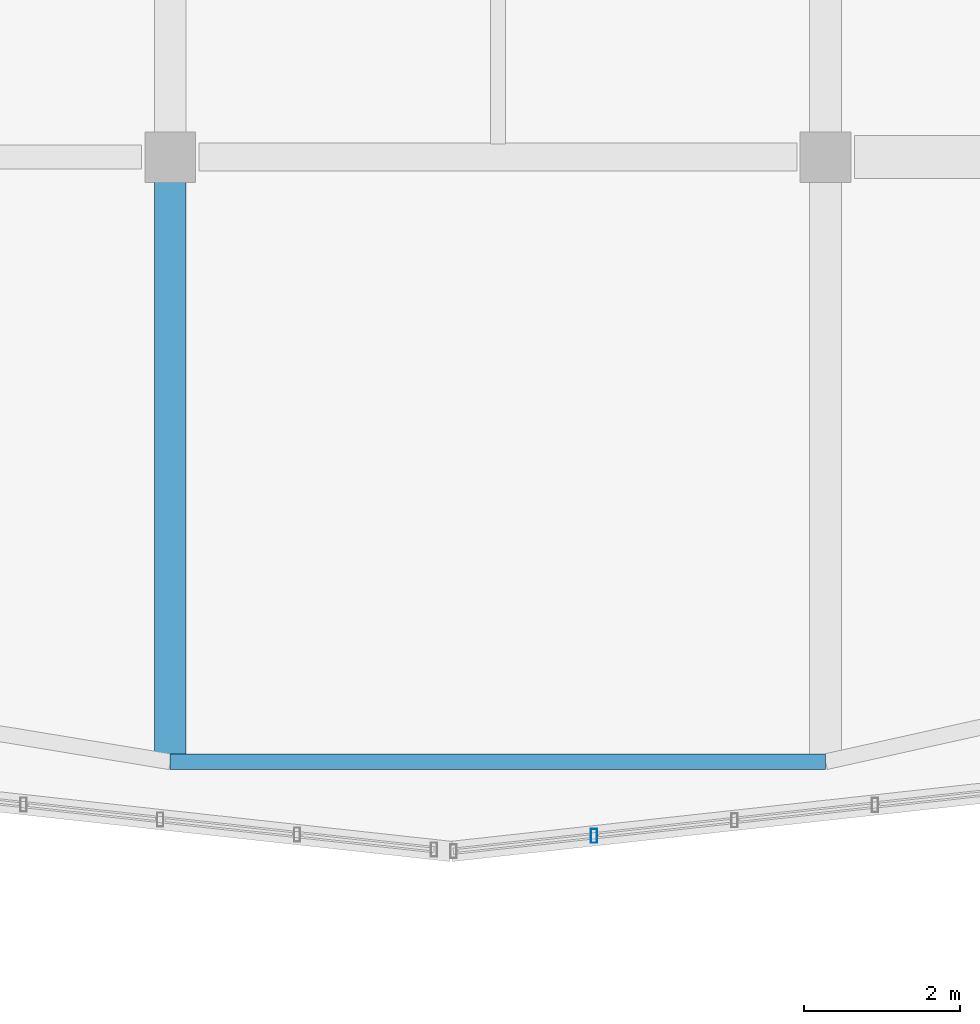
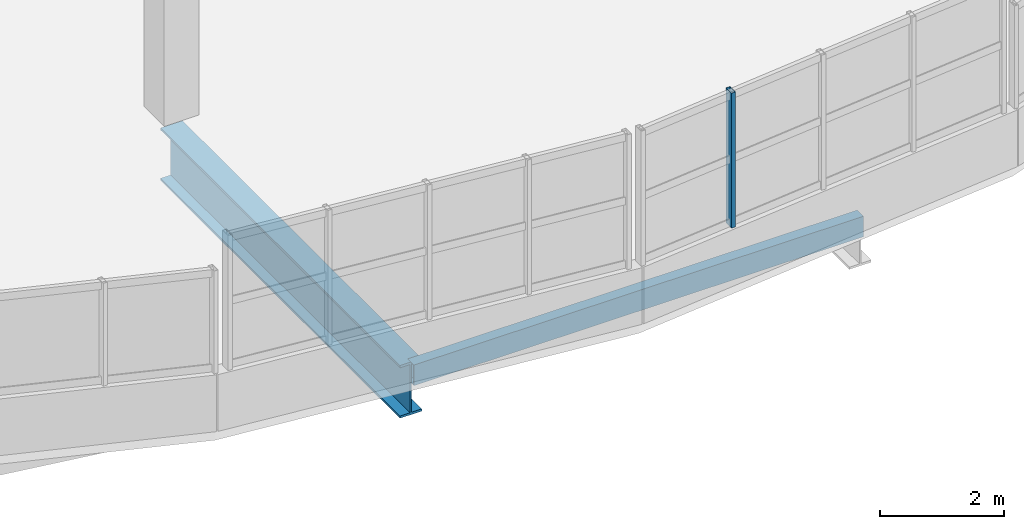
# One storey, part 5 of 50: 2 beams, 1 member, 1 element without a shape of its own.
"""IFC4 building model written with IfcOpenShell, lengths in metres."""

from ifc_helpers import new_model, si_unit, direction, frame, origin, origin_2d, place, context, subcontext, project, spatial, hollow_rectangle, i_section, extrude, material, material_profile, profile_set, type_object, element, aggregate, save


model = new_model("IFC4")

# Units and contexts
model_context = context("Model", 3, precision=1e-05, world=origin(), true_north=direction((0.0, 1.0)))
body_context = subcontext(model_context, "Body", "Model", "MODEL_VIEW")
ifc_project = project(units=[si_unit("LENGTHUNIT", "METRE"), si_unit("AREAUNIT", "SQUARE_METRE"), si_unit("VOLUMEUNIT", "CUBIC_METRE"), si_unit("PLANEANGLEUNIT", "RADIAN"), si_unit("MASSUNIT", "GRAM", prefix="KILO")], contexts=[model_context])

# Site, building, storey
site_placement = place(None, origin())
site = spatial("IfcSite", under=ifc_project, at=site_placement, CompositionType="ELEMENT")
building_placement = place(site_placement, origin())
building = spatial("IfcBuilding", under=site, at=building_placement, Name="Solvento Point Concert Hall", CompositionType="ELEMENT")
storey_placement = place(building_placement, frame((0.0, 0.0, 15.0)))
storey = spatial("IfcBuildingStorey", under=building, at=storey_placement, Name="L03", CompositionType="ELEMENT", Elevation=15.0)

# Beam
ifc_material_1 = material(Name="Structural Steel ASTM A992 Grade 50", Category="steel")
ifc_material_profile_1 = material_profile(ifc_material_1, i_section(OverallWidth=0.408935546875, OverallDepth=1.041015625, WebThickness=0.031005859375, FlangeThickness=0.04443359375, at=origin_2d()), Name="W40X397")
ifc_profile_set_1 = profile_set([ifc_material_profile_1], Name="Structural Steel ASTM A992 Grade 50")
beam_type_1 = type_object("IfcBeamType", Name="CantileverGirder_W40X397", PredefinedType="USERDEFINED", material=ifc_profile_set_1)
beam_1_placement = place(storey_placement, frame((57.60009765625, 17.0, -0.785400390625), z_axis=(0.0, -1.0, 0.0), x_axis=(1.0, 0.0, 0.0)))
element("IfcBeam", 1, at=beam_1_placement, inside=storey, type_object=beam_type_1, Name="Radial cantilever girder CG-01 L03", ObjectType="GIRDER", PredefinedType="USERDEFINED", context=body_context, shape_type="SweptSolid", body=[
    extrude(i_section(OverallWidth=0.408935546875, OverallDepth=1.041015625, WebThickness=0.031005859375, FlangeThickness=0.04443359375, at=origin_2d()), origin(), (0.0, 0.0, 1.0), 7.75),
])

# Curtain wall, member
ifc_material_2 = material(Name="Anodized Bronze Aluminium", Category="aluminium")
curtain_wall_type = type_object("IfcCurtainWallType", Name="CurtainWall_RingRibbon_L03_04", PredefinedType="USERDEFINED", material=ifc_material_2)
curtain_wall_placement = place(storey_placement, origin())
curtain_wall = element("IfcCurtainWall", 2, at=curtain_wall_placement, inside=storey, type_object=curtain_wall_type, Name="Unitised curtain wall CW-31 UCW-L03-207", ObjectType="UNITISED CURTAIN WALL", PredefinedType="USERDEFINED")
ifc_material_3 = material(Name="Anodized Bronze Aluminium", Category="aluminium")
ifc_material_profile_2 = material_profile(ifc_material_3, hollow_rectangle(XDim=0.080078125, YDim=0.179931640625, WallThickness=0.00390625, at=origin_2d()), Name="CW-MUL-80X180")
ifc_profile_set_2 = profile_set([ifc_material_profile_2], Name="Anodized Bronze Aluminium")
member_type = type_object("IfcMemberType", Name="Mullion_80x180", PredefinedType="MULLION", material=ifc_profile_set_2)
member_placement = place(storey_placement, frame((63.03125, 8.30078125, 1.1201171875), z_axis=(0.0, 0.0, 1.0), x_axis=(1.0, 0.0, 0.0)))
member = element("IfcMember", 3, at=member_placement, type_object=member_type, Name="Curtain wall mullion ML-01", PredefinedType="MULLION", context=body_context, shape_type="SweptSolid", body=[
    extrude(hollow_rectangle(XDim=0.080078125, YDim=0.179931640625, WallThickness=0.00390625, at=origin_2d()), origin(), (0.0, 0.0, 1.0), 2.66748046875),
])
aggregate(curtain_wall, [member])

# Beam
ifc_material_4 = material(Name="Structural Steel ASTM A500 Grade C", Category="steel")
ifc_material_profile_3 = material_profile(ifc_material_4, hollow_rectangle(XDim=0.203125, YDim=0.406494140625, WallThickness=0.01171875, at=origin_2d()), Name="HSS16X8X1/2")
ifc_profile_set_3 = profile_set([ifc_material_profile_3], Name="Structural Steel ASTM A500 Grade C")
beam_type_2 = type_object("IfcBeamType", Name="RingBeam_HSS16X8", PredefinedType="SPANDREL", material=ifc_profile_set_3)
beam_2_placement = place(storey_placement, frame((57.60009765625, 9.25, -0.46728515625), z_axis=(1.0, 0.0, 0.0), x_axis=(0.0, 1.0, 0.0)))
element("IfcBeam", 4, at=beam_2_placement, inside=storey, type_object=beam_type_2, Name="Elliptical perimeter ring beam RB-01 L03", PredefinedType="SPANDREL", context=body_context, shape_type="SweptSolid", body=[
    extrude(hollow_rectangle(XDim=0.203125, YDim=0.406494140625, WallThickness=0.01171875, at=origin_2d()), origin(), (0.0, 0.0, 1.0), 8.39990234375),
])

save(model, "model.ifc")
